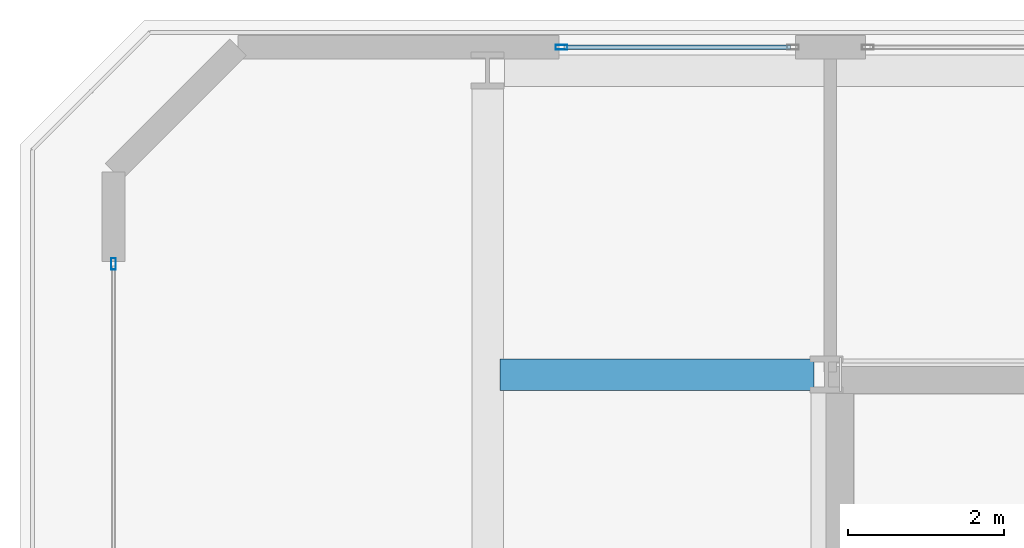
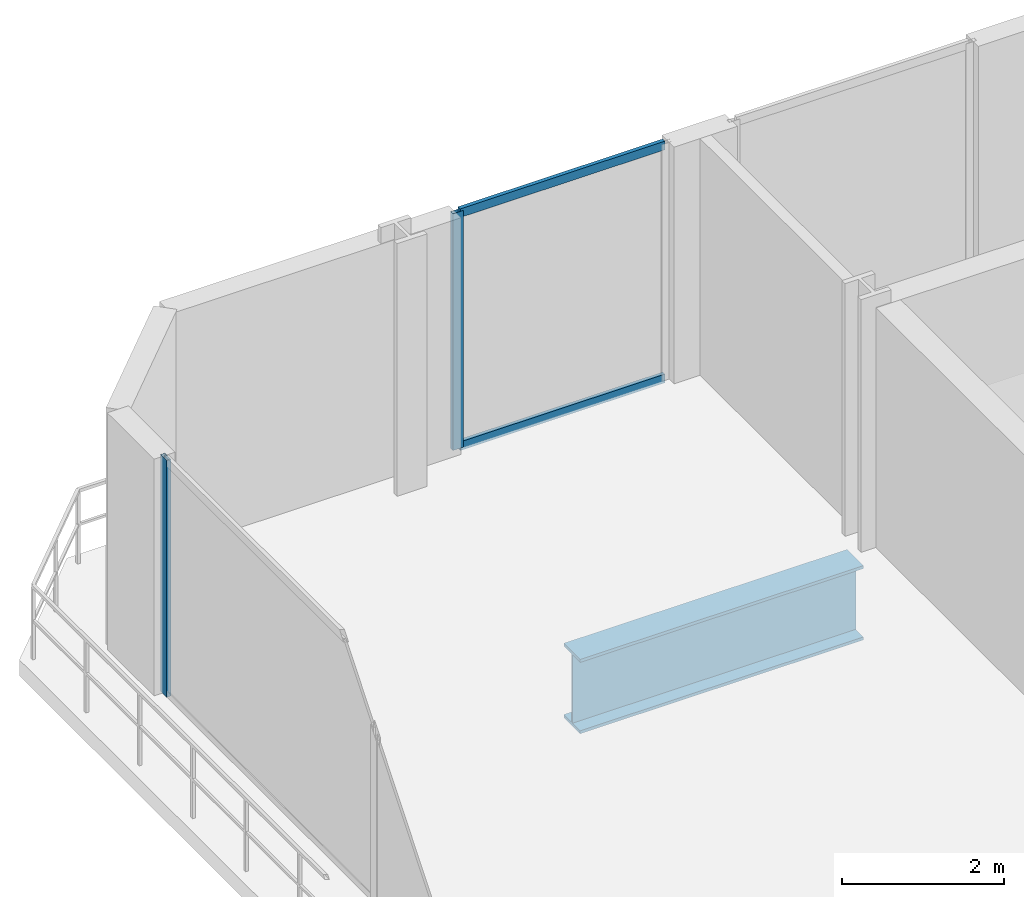
# One storey, part 16 of 26: 4 members, 1 beam, 2 elements without a shape of their own.
"""IFC4 building model written with IfcOpenShell, lengths in metres."""

from ifc_helpers import new_model, si_unit, direction, frame, origin, origin_2d, place, context, subcontext, project, spatial, hollow_rectangle, i_section, extrude, material, layer, layer_set, material_profile, profile_set, type_object, element, aggregate, save


model = new_model("IFC4")

# Units and contexts
model_context = context("Model", 3, precision=1e-05, world=origin(), true_north=direction((0.0, 1.0)))
body_context = subcontext(model_context, "Body", "Model", "MODEL_VIEW")
ifc_project = project(units=[si_unit("LENGTHUNIT", "METRE"), si_unit("AREAUNIT", "SQUARE_METRE"), si_unit("VOLUMEUNIT", "CUBIC_METRE"), si_unit("PLANEANGLEUNIT", "RADIAN"), si_unit("MASSUNIT", "GRAM", prefix="KILO")], contexts=[model_context])

# Site, building, storey
site_placement = place(None, origin())
site = spatial("IfcSite", under=ifc_project, at=site_placement, CompositionType="ELEMENT")
building_placement = place(site_placement, origin())
building = spatial("IfcBuilding", under=site, at=building_placement, Name="Zuhayl Quay Hotel", CompositionType="ELEMENT")
storey_placement = place(building_placement, frame((0.0, 0.0, 301.050048828125)))
storey = spatial("IfcBuildingStorey", under=building, at=storey_placement, Name="Crown 2", CompositionType="ELEMENT", Elevation=301.050048828125)

# Beam
ifc_material_1 = material(Name="Steel ASTM A913 Grade 65", Category="steel")
ifc_material_profile_1 = material_profile(ifc_material_1, i_section(OverallWidth=0.404052734375, OverallDepth=1.117919921875, WebThickness=0.026123046875, FlangeThickness=0.044921875, at=origin_2d()), Name="W44X335")
ifc_profile_set_1 = profile_set([ifc_material_profile_1], Name="Steel ASTM A913 Grade 65")
beam_type = type_object("IfcBeamType", Name="BM_TG1_W44X335", PredefinedType="BEAM", material=ifc_profile_set_1)
beam_placement = place(storey_placement, frame((-13.639892578125, 34.449951171875, -0.799072265625), z_axis=(1.0, 0.0, 0.0), x_axis=(0.0, 1.0, 0.0)))
element("IfcBeam", 1, at=beam_placement, inside=storey, type_object=beam_type, Name="Crown 2 Floor Beam CR_EW_2_2_1", PredefinedType="BEAM", context=body_context, shape_type="SweptSolid", body=[
    extrude(i_section(OverallWidth=0.404052734375, OverallDepth=1.117919921875, WebThickness=0.026123046875, FlangeThickness=0.044921875, at=origin_2d()), origin(), (0.0, 0.0, 1.0), 4.02978515625),
])

# Curtain wall, member
ifc_material_2 = material(Name="Anodised Aluminium 6063-T6", Category="aluminium")
ifc_layer = layer(ifc_material_2, 0.159912109375, Name="Anodised Aluminium 6063-T6", Category="aluminium")
ifc_layer_set = layer_set([ifc_layer], Name="Anodised Aluminium 6063-T6")
curtain_wall_type = type_object("IfcCurtainWallType", Name="CW_SYS_CRN", PredefinedType="USERDEFINED", material=ifc_layer_set)
curtain_wall_1_placement = place(storey_placement, origin())
curtain_wall_1 = element("IfcCurtainWall", 2, at=curtain_wall_1_placement, inside=storey, type_object=curtain_wall_type, Name="Crown 2 Curtain Wall ENV_CR2_E1_CW2", ObjectType="UNITISED CURTAIN WALL", PredefinedType="USERDEFINED")
ifc_material_3 = material(Name="Black-anodised aluminium 6063-T6", Category="aluminium")
ifc_material_profile_2 = material_profile(ifc_material_3, hollow_rectangle(XDim=0.06005859375, YDim=0.14990234375, WallThickness=0.00341796875, at=origin_2d()), Name="ALU150X60")
ifc_profile_set_2 = profile_set([ifc_material_profile_2], Name="Black-anodised aluminium 6063-T6")
member_type_1 = type_object("IfcMemberType", Name="MB_CW_MUL_150", PredefinedType="MULLION", material=ifc_profile_set_2)
member_1_placement = place(storey_placement, frame((-18.60009765625, 35.8701171875, 0.0), z_axis=(0.0, 0.0, 1.0), x_axis=(-1.0, 0.0, 0.0)))
member_1 = element("IfcMember", 3, at=member_1_placement, type_object=member_type_1, Name="CW-CRN mullion 5", PredefinedType="MULLION", context=body_context, shape_type="SweptSolid", body=[
    extrude(hollow_rectangle(XDim=0.06005859375, YDim=0.14990234375, WallThickness=0.00341796875, at=origin_2d()), origin(), (0.0, 0.0, 1.0), 3.56005859375),
])
aggregate(curtain_wall_1, [member_1])

# Curtain wall, members
curtain_wall_2_placement = place(storey_placement, origin())
curtain_wall_2 = element("IfcCurtainWall", 4, at=curtain_wall_2_placement, inside=storey, type_object=curtain_wall_type, Name="Crown 2 Curtain Wall ENV_CR2_E3_CW1", ObjectType="UNITISED CURTAIN WALL", PredefinedType="USERDEFINED")
member_2_placement = place(storey_placement, frame((-12.85009765625, 38.64990234375, 0.0), z_axis=(0.0, 0.0, 1.0), x_axis=(0.0, 1.0, 0.0)))
member_2 = element("IfcMember", 5, at=member_2_placement, type_object=member_type_1, Name="CW-CRN mullion 1", PredefinedType="MULLION", context=body_context, shape_type="SweptSolid", body=[
    extrude(hollow_rectangle(XDim=0.06005859375, YDim=0.14990234375, WallThickness=0.00341796875, at=origin_2d()), origin(), (0.0, 0.0, 1.0), 3.56005859375),
])
ifc_material_profile_3 = material_profile(ifc_material_3, hollow_rectangle(XDim=0.054931640625, YDim=0.1298828125, WallThickness=0.0029296875, at=origin_2d()), Name="ALU130X55")
ifc_profile_set_3 = profile_set([ifc_material_profile_3], Name="Black-anodised aluminium 6063-T6")
member_type_2 = type_object("IfcMemberType", Name="MB_CW_TRN_130", PredefinedType="USERDEFINED", material=ifc_profile_set_3)
member_3_placement = place(storey_placement, frame((-12.820068359375, 38.64990234375, 0.02734375), z_axis=(1.0, 0.0, 0.0), x_axis=(0.0, 1.0, 0.0)))
member_3 = element("IfcMember", 6, at=member_3_placement, type_object=member_type_2, Name="CW-CRN transom 1.1", ObjectType="TRANSOM", PredefinedType="USERDEFINED", context=body_context, shape_type="SweptSolid", body=[
    extrude(hollow_rectangle(XDim=0.054931640625, YDim=0.1298828125, WallThickness=0.0029296875, at=origin_2d()), origin(), (0.0, 0.0, 1.0), 2.91015625),
])
member_4_placement = place(storey_placement, frame((-12.820068359375, 38.64990234375, 3.532470703125), z_axis=(1.0, 0.0, 0.0), x_axis=(0.0, 1.0, 0.0)))
member_4 = element("IfcMember", 7, at=member_4_placement, type_object=member_type_2, Name="CW-CRN transom 1.2", ObjectType="TRANSOM", PredefinedType="USERDEFINED", context=body_context, shape_type="SweptSolid", body=[
    extrude(hollow_rectangle(XDim=0.054931640625, YDim=0.1298828125, WallThickness=0.0029296875, at=origin_2d()), origin(), (0.0, 0.0, 1.0), 2.91015625),
])
aggregate(curtain_wall_2, [member_2, member_3, member_4])

save(model, "model.ifc")
